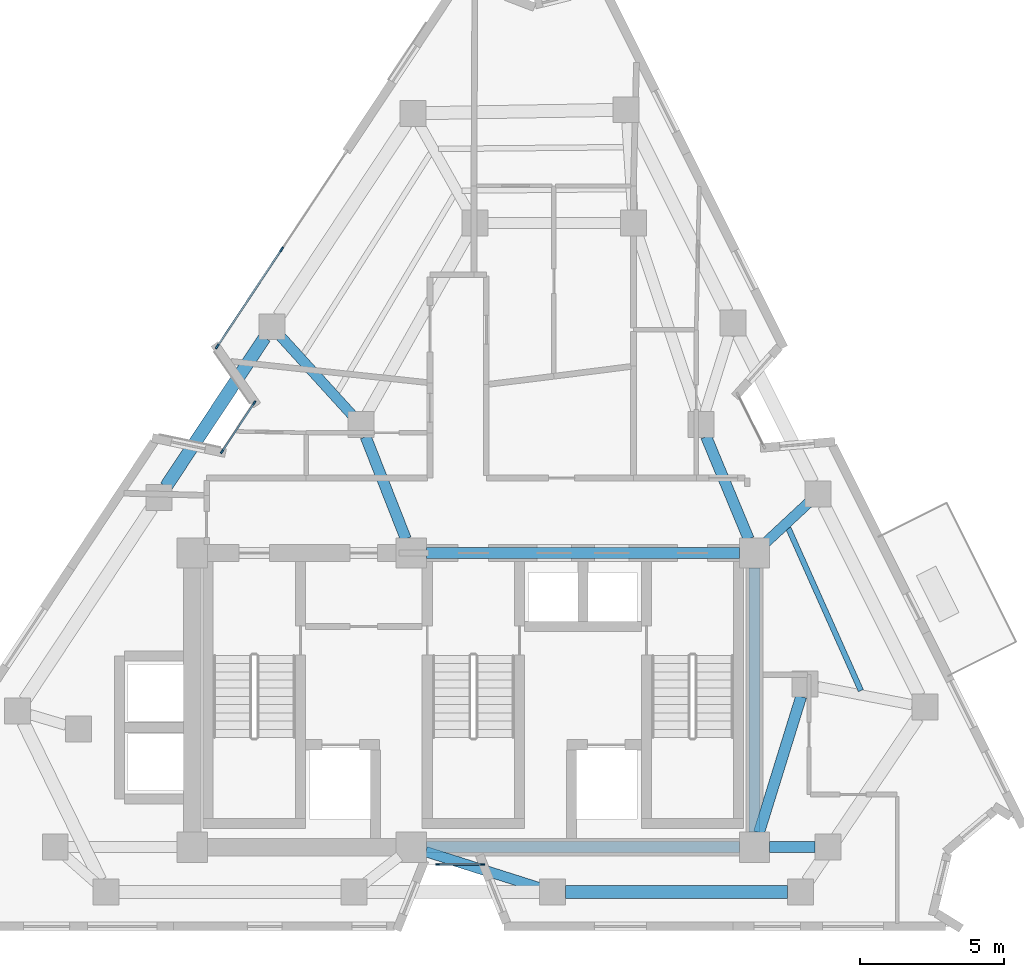
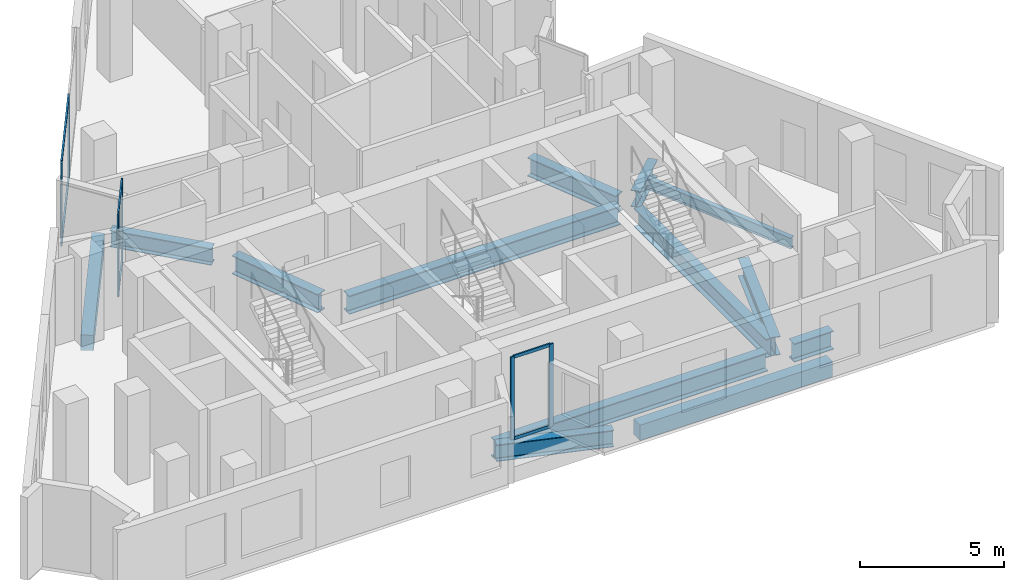
# One storey, part 2 of 9: 13 beams, 12 members, 3 elements without a shape of their own.
"""IFC4 building model written with IfcOpenShell, lengths in metres."""

import ifcopenshell
import ifcopenshell.guid

model = None  # the IFC model being written
_history = None  # IfcOwnerHistory: only IFC2X3 demands one
_inside = {}  # id of a spatial element -> (the spatial element, [elements in it])
_under = {}  # id of a project, library or spatial element -> (it, [spatial elements below it])
_declared = {}  # id of a project -> (the project, [libraries it declares])
_typed = {}  # id of a type object -> (the type object, [elements of that type])
_made_of = {}  # id of a material, layer set ... -> (it, [elements and type objects made of it])


def new_model(schema):
    """Start an empty IFC model of exactly this schema.

    Asked for "IFC4X3", IfcOpenShell would pick the latest addendum, in which some entities
    have other attributes; the version numbers below select the first issue.
    IFC2X3 requires an IfcOwnerHistory on every rooted entity: one is made here for all.
    """
    global model, _history
    if schema == "IFC4X3":
        model = ifcopenshell.file(schema_version=(4, 3, 0, 0))
    else:
        model = ifcopenshell.file(schema=schema)
    _inside.clear()
    _under.clear()
    _declared.clear()
    _typed.clear()
    _made_of.clear()
    _history = None
    if model.schema == "IFC2X3":
        org = make("IfcOrganization", Name="unknown")
        user = make(
            "IfcPersonAndOrganization",
            ThePerson=make("IfcPerson", FamilyName="unknown"),
            TheOrganization=org,
        )
        app = make(
            "IfcApplication",
            ApplicationDeveloper=org,
            Version="unknown",
            ApplicationFullName="unknown",
            ApplicationIdentifier="unknown",
        )
        _history = make(
            "IfcOwnerHistory",
            OwningUser=user,
            OwningApplication=app,
            ChangeAction="ADDED",
            CreationDate=0,
        )
    return model


def make(cls, **values):
    """One entity of the class cls with the attributes given. An attribute that is None is left unset."""
    return model.create_entity(
        cls, **{name: value for name, value in values.items() if value is not None}
    )


def rooted(cls, **values):
    """An entity with a GlobalId (a new one), such as an element, a storey or a relation."""
    return make(cls, GlobalId=ifcopenshell.guid.new(), OwnerHistory=_history, **values)


def si_unit(unit_type, name, prefix=None):
    """IfcSIUnit, for example si_unit("LENGTHUNIT", "METRE", prefix="MILLI")."""
    return make("IfcSIUnit", UnitType=unit_type, Prefix=prefix, Name=name)


def assignment(units):
    """IfcUnitAssignment: the units of a project."""
    return None if units is None else make("IfcUnitAssignment", Units=units)


def point(xyz):
    """IfcCartesianPoint."""
    return None if xyz is None else make("IfcCartesianPoint", Coordinates=xyz)


def direction(xyz):
    """IfcDirection."""
    return None if xyz is None else make("IfcDirection", DirectionRatios=xyz)


def frame(location, z_axis=None, x_axis=None):
    """IfcAxis2Placement3D, a coordinate frame: its origin and axes. An axis left out is left unset."""
    return make(
        "IfcAxis2Placement3D",
        Location=point(location),
        Axis=direction(z_axis),
        RefDirection=direction(x_axis),
    )


def frame_2d(location, x_axis=None):
    """IfcAxis2Placement2D, a coordinate frame in the plane: its origin and x axis."""
    return make(
        "IfcAxis2Placement2D", Location=point(location), RefDirection=direction(x_axis)
    )


def origin():
    """The frame at (0, 0, 0) with its axes left unset."""
    return frame((0.0, 0.0, 0.0))


def origin_2d():
    """The frame at (0, 0) in the plane with its x axis left unset."""
    return frame_2d((0.0, 0.0))


def place(relative_to, where):
    """IfcLocalPlacement: puts the frame where relative to a parent placement (None: the world)."""
    return make(
        "IfcLocalPlacement", PlacementRelTo=relative_to, RelativePlacement=where
    )


def context(
    kind, dimensions, precision=None, world=None, true_north=None, identifier=None
):
    """IfcGeometricRepresentationContext, for example the 3D "Model" context."""
    return make(
        "IfcGeometricRepresentationContext",
        ContextIdentifier=identifier,
        ContextType=kind,
        CoordinateSpaceDimension=dimensions,
        Precision=precision,
        WorldCoordinateSystem=world,
        TrueNorth=true_north,
    )


def subcontext(parent, identifier, kind, view, scale=None):
    """IfcGeometricRepresentationSubContext, for example "Body" below "Model"."""
    return make(
        "IfcGeometricRepresentationSubContext",
        ContextIdentifier=identifier,
        ContextType=kind,
        ParentContext=parent,
        TargetScale=scale,
        TargetView=view,
    )


def project(units=None, contexts=None):
    """IfcProject with its units and contexts."""
    return rooted(
        "IfcProject",
        Name="project",
        RepresentationContexts=contexts,
        UnitsInContext=assignment(units),
    )


def spatial(cls, under=None, at=None, **own):
    """A site, building, storey or space (cls), placed at a placement, below another one or the project."""
    s = rooted(cls, ObjectPlacement=at, **own)
    if under is not None:
        _under.setdefault(under.id(), (under, []))[1].append(s)
    return s


def profile(cls, at=None, kind="AREA", **sizes):
    """A parametric profile (cls). Its sizes go by their IFC names, for example OverallWidth=200.0."""
    return make(cls, ProfileType=kind, Position=at, **sizes)


def rectangle(**sizes):
    """IfcRectangleProfileDef."""
    return profile("IfcRectangleProfileDef", **sizes)


def i_section(**sizes):
    """IfcIShapeProfileDef."""
    return profile("IfcIShapeProfileDef", **sizes)


def extrude(swept, where, along, depth):
    """IfcExtrudedAreaSolid: the profile swept, set in the frame where, extruded along a direction by depth."""
    return make(
        "IfcExtrudedAreaSolid",
        SweptArea=swept,
        Position=where,
        ExtrudedDirection=direction(along),
        Depth=depth,
    )


def shape(context_of_items, identifier, shape_type, items):
    """IfcShapeRepresentation: the items that make up one representation, for example the "Body"."""
    return make(
        "IfcShapeRepresentation",
        ContextOfItems=context_of_items,
        RepresentationIdentifier=identifier,
        RepresentationType=shape_type,
        Items=items,
    )


def material(Name=None, Category=None):
    """IfcMaterial."""
    return make("IfcMaterial", Name=Name, Category=Category)


def layer(
    of_material, thickness, ventilated=None, Name=None, Category=None, Priority=None
):
    """IfcMaterialLayer: one layer of a wall or slab, of a material (None: an air gap)."""
    return make(
        "IfcMaterialLayer",
        Material=of_material,
        LayerThickness=thickness,
        IsVentilated=ventilated,
        Name=Name,
        Category=Category,
        Priority=Priority,
    )


def layer_set(layers, Name=None):
    """IfcMaterialLayerSet."""
    return make("IfcMaterialLayerSet", MaterialLayers=layers, LayerSetName=Name)


def material_profile(
    of_material, cross_section, Name=None, Category=None, Priority=None
):
    """IfcMaterialProfile: a cross section and its material."""
    return make(
        "IfcMaterialProfile",
        Name=Name,
        Material=of_material,
        Profile=cross_section,
        Priority=Priority,
        Category=Category,
    )


def profile_set(profiles, Name=None, composite=None):
    """IfcMaterialProfileSet."""
    return make(
        "IfcMaterialProfileSet",
        Name=Name,
        MaterialProfiles=profiles,
        CompositeProfile=composite,
    )


def made_of(thing, what):
    """Note that an element or type object is made of a material, layer set ...; save() writes the relation."""
    if what is not None:
        _made_of.setdefault(what.id(), (what, []))[1].append(thing)
    return thing


def type_object(cls, material=None, **own):
    """A type object (cls), such as IfcWallType, which elements share."""
    return made_of(rooted(cls, **own), material)


def element(
    cls,
    number,
    at=None,
    inside=None,
    cuts=None,
    type_object=None,
    material=None,
    context=None,
    identifier="Body",
    shape_type=None,
    held_by="IfcProductDefinitionShape",
    body=None,
    shapes=None,
    **own,
):
    """One element of the class cls, such as IfcWall. Its Tag is "e" and its number.

    at: its placement. inside: the storey or other place that contains it. cuts: it is an
    opening in that element (IfcRelVoidsElement). A single representation is given by context,
    identifier, shape_type and body (its items); several are given by shapes. held_by: the class
    of the entity that holds the representations. save() writes the other relations.
    """
    e = rooted(cls, Tag="e%d" % number, ObjectPlacement=at, **own)
    if body is not None:
        shapes = [shape(context, identifier, shape_type, body)]
    if shapes is not None:
        e.Representation = make(held_by, Representations=shapes)
    if inside is not None:
        _inside.setdefault(inside.id(), (inside, []))[1].append(e)
    if cuts is not None:
        rooted(
            "IfcRelVoidsElement", RelatingBuildingElement=cuts, RelatedOpeningElement=e
        )
    if type_object is not None:
        _typed.setdefault(type_object.id(), (type_object, []))[1].append(e)
    return made_of(e, material)


def aggregate(whole, parts):
    """IfcRelAggregates: a whole, such as a stair, and the parts it consists of."""
    return rooted("IfcRelAggregates", RelatingObject=whole, RelatedObjects=parts)


def save(model, path):
    """Write the relations noted so far, then the file.

    IfcRelAggregates (storeys below a building ...), IfcRelContainedInSpatialStructure (elements
    in a storey), IfcRelDefinesByType, IfcRelAssociatesMaterial and IfcRelDeclares: one each for
    every whole, place, type object, material and project.
    """
    for whole, parts in _under.values():
        aggregate(whole, parts)
    for where, things in _inside.values():
        rooted(
            "IfcRelContainedInSpatialStructure",
            RelatedElements=things,
            RelatingStructure=where,
        )
    for kind, things in _typed.values():
        rooted("IfcRelDefinesByType", RelatedObjects=things, RelatingType=kind)
    for what, things in _made_of.values():
        rooted("IfcRelAssociatesMaterial", RelatedObjects=things, RelatingMaterial=what)
    for by, libraries in _declared.values():
        rooted("IfcRelDeclares", RelatingContext=by, RelatedDefinitions=libraries)
    model.write(path)


model = new_model("IFC4")

# Units and contexts
model_context = context("Model", 3, precision=1e-05, world=origin(), true_north=direction((0.0, 1.0)))
body_context = subcontext(model_context, "Body", "Model", "MODEL_VIEW")
ifc_project = project(units=[si_unit("LENGTHUNIT", "METRE"), si_unit("AREAUNIT", "SQUARE_METRE"), si_unit("VOLUMEUNIT", "CUBIC_METRE"), si_unit("PLANEANGLEUNIT", "RADIAN"), si_unit("MASSUNIT", "GRAM", prefix="KILO")], contexts=[model_context])

# Site, building, storey
site_placement = place(None, origin())
site = spatial("IfcSite", under=ifc_project, at=site_placement, CompositionType="ELEMENT")
building_placement = place(site_placement, origin())
building = spatial("IfcBuilding", under=site, at=building_placement, Name="Almagre Mirador Tower", CompositionType="ELEMENT")
storey_placement = place(building_placement, frame((0.0, 0.0, 259.5)))
storey = spatial("IfcBuildingStorey", under=building, at=storey_placement, Name="L67", CompositionType="ELEMENT", Elevation=259.5)

# Beams
ifc_material_1 = material(Name="Steel ASTM A992 Grade 50", Category="steel")
ifc_material_profile_1 = material_profile(ifc_material_1, i_section(OverallWidth=0.19091796875, OverallDepth=0.4599609375, WebThickness=0.010009765625, FlangeThickness=0.01611328125, FilletRadius=0.01611328125, at=origin_2d()), Name="W18X55")
ifc_profile_set_1 = profile_set([ifc_material_profile_1], Name="Steel ASTM A992 Grade 50")
beam_type_1 = type_object("IfcBeamType", Name="BM-JST-W18X55", PredefinedType="JOIST", material=ifc_profile_set_1)
beam_1_placement = place(storey_placement, frame((50.739990234375, 9.9775390625, -0.47998046875), z_axis=(-0.407786353959, 0.913077373241, 0.0), x_axis=(-0.913077373241, -0.407786353959, 0.0)))
element("IfcBeam", 1, at=beam_1_placement, inside=storey, type_object=beam_type_1, Name="L67 secondary floor joist PC05-PC06.2", PredefinedType="JOIST", context=body_context, shape_type="SweptSolid", body=[
    extrude(i_section(OverallWidth=0.19091796875, OverallDepth=0.4599609375, WebThickness=0.010009765625, FlangeThickness=0.01611328125, FilletRadius=0.01611328125, at=origin_2d()), origin(), (0.0, 0.0, 1.0), 6.169677734375),
])
ifc_material_2 = material(Name="Precast concrete C50/60", Category="concrete")
ifc_material_profile_2 = material_profile(ifc_material_2, rectangle(XDim=0.449951171875, YDim=0.64990234375, at=origin_2d()), Name="RC450X650")
ifc_profile_set_2 = profile_set([ifc_material_profile_2], Name="Precast concrete C50/60")
beam_type_2 = type_object("IfcBeamType", Name="BM-SPN-RC450X650", PredefinedType="SPANDREL", material=ifc_profile_set_2)
beam_2_placement = place(storey_placement, frame((40.489990234375, 3.0, -0.574951171875), z_axis=(1.0, 0.0, 0.0), x_axis=(0.0, 1.0, 0.0)))
element("IfcBeam", 2, at=beam_2_placement, inside=storey, type_object=beam_type_2, Name="L67 perimeter spandrel beam PC03-PC04", PredefinedType="SPANDREL", context=body_context, shape_type="SweptSolid", body=[
    extrude(rectangle(XDim=0.449951171875, YDim=0.64990234375, at=origin_2d()), origin(), (0.0, 0.0, 1.0), 7.699951171875),
])
beam_3_placement = place(storey_placement, frame((30.0625, 22.2216796875, -0.574951171875), z_axis=(-0.552107701179, -0.833772802566, 0.0), x_axis=(0.833772802566, -0.552107701179, 0.0)))
element("IfcBeam", 3, at=beam_3_placement, inside=storey, type_object=beam_type_2, Name="L67 perimeter spandrel beam PC10-PC11", PredefinedType="SPANDREL", context=body_context, shape_type="SweptSolid", body=[
    extrude(rectangle(XDim=0.449951171875, YDim=0.64990234375, at=origin_2d()), origin(), (0.0, 0.0, 1.0), 6.199951171875),
])
ifc_material_3 = material(Name="Steel ASTM A992 Grade 50", Category="steel")
ifc_material_profile_3 = material_profile(ifc_material_3, i_section(OverallWidth=0.35791015625, OverallDepth=0.7060546875, WebThickness=0.018310546875, FlangeThickness=0.0302734375, FilletRadius=0.02197265625, at=origin_2d()), Name="W27X178")
ifc_profile_set_3 = profile_set([ifc_material_profile_3], Name="Steel ASTM A992 Grade 50")
beam_type_3 = type_object("IfcBeamType", Name="BM-STL-W27X178", PredefinedType="BEAM", material=ifc_profile_set_3)
beam_4_placement = place(storey_placement, frame((39.611083984375, 3.135986328125, -0.60302734375), z_axis=(-0.953262426314, 0.302143586027, 0.0), x_axis=(-0.302143586027, -0.953262426314, 0.0)))
element("IfcBeam", 4, at=beam_4_placement, inside=storey, type_object=beam_type_3, Name="L67 radial floor girder PC03-CC2", PredefinedType="BEAM", context=body_context, shape_type="SweptSolid", body=[
    extrude(i_section(OverallWidth=0.35791015625, OverallDepth=0.7060546875, WebThickness=0.018310546875, FlangeThickness=0.0302734375, FilletRadius=0.02197265625, at=origin_2d()), origin(), (0.0, 0.0, 1.0), 4.15478515625),
])
beam_5_placement = place(storey_placement, frame((48.927490234375, 16.49658203125, -0.60302734375), z_axis=(-0.732204787824, -0.681084538576, 0.0), x_axis=(0.681084538576, -0.732204787824, 0.0)))
element("IfcBeam", 5, at=beam_5_placement, inside=storey, type_object=beam_type_3, Name="L67 radial floor girder PC06-CC6", PredefinedType="BEAM", context=body_context, shape_type="SweptSolid", body=[
    extrude(i_section(OverallWidth=0.35791015625, OverallDepth=0.7060546875, WebThickness=0.018310546875, FlangeThickness=0.0302734375, FilletRadius=0.02197265625, at=origin_2d()), origin(), (0.0, 0.0, 1.0), 2.039306640625),
])
beam_6_placement = place(storey_placement, frame((30.61376953125, 22.26416015625, -0.60302734375), z_axis=(0.672781414124, -0.739841313262, 0.0), x_axis=(0.739841313262, 0.672781414124, 0.0)))
element("IfcBeam", 6, at=beam_6_placement, inside=storey, type_object=beam_type_3, Name="L67 radial floor girder PC10-MC8", PredefinedType="BEAM", context=body_context, shape_type="SweptSolid", body=[
    extrude(i_section(OverallWidth=0.35791015625, OverallDepth=0.7060546875, WebThickness=0.018310546875, FlangeThickness=0.0302734375, FilletRadius=0.02197265625, at=origin_2d()), origin(), (0.0, 0.0, 1.0), 3.691650390625),
])
ifc_material_4 = material(Name="Steel ASTM A992 Grade 50", Category="steel")
ifc_material_profile_4 = material_profile(ifc_material_4, i_section(OverallWidth=0.384033203125, OverallDepth=0.784912109375, WebThickness=0.019775390625, FlangeThickness=0.033447265625, FilletRadius=0.02392578125, at=origin_2d()), Name="W30X211")
ifc_profile_set_4 = profile_set([ifc_material_profile_4], Name="Steel ASTM A992 Grade 50")
beam_type_4 = type_object("IfcBeamType", Name="BM-STL-W30X211", PredefinedType="BEAM", material=ifc_profile_set_4)
for number, where, z_axis, x_axis, name in (
    (7, (35.675048828125, 4.550048828125, -0.642578125), (1.0, 0.0, 0.0), (0.0, 1.0, 0.0), "L67 core tie girder CC2-CC3"),
    (8, (35.675048828125, 14.75, -0.642578125), (1.0, 0.0, 0.0), (0.0, 1.0, 0.0), "L67 core tie girder CC5-CC6"),
):
    element("IfcBeam", number, at=place(storey_placement, frame(where, z_axis=z_axis, x_axis=x_axis)), inside=storey, type_object=beam_type_4, Name=name, PredefinedType="BEAM", context=body_context, shape_type="SweptSolid", body=[
        extrude(i_section(OverallWidth=0.384033203125, OverallDepth=0.784912109375, WebThickness=0.019775390625, FlangeThickness=0.033447265625, FilletRadius=0.02392578125, at=origin_2d()), origin(), (0.0, 0.0, 1.0), 10.849853515625),
    ])
beam_7_placement = place(storey_placement, frame((47.050048828125, 5.074951171875, -0.642578125), z_axis=(0.0, 1.0, 0.0), x_axis=(-1.0, 0.0, 0.0)))
element("IfcBeam", 9, at=beam_7_placement, inside=storey, type_object=beam_type_4, Name="L67 core tie girder CC3-CC6", PredefinedType="BEAM", context=body_context, shape_type="SweptSolid", body=[
    extrude(i_section(OverallWidth=0.384033203125, OverallDepth=0.784912109375, WebThickness=0.019775390625, FlangeThickness=0.033447265625, FilletRadius=0.02392578125, at=origin_2d()), origin(), (0.0, 0.0, 1.0), 9.150146484375),
])
beam_8_placement = place(storey_placement, frame((49.14990234375, 4.550048828125, -0.642578125), z_axis=(-1.0, 0.0, 0.0), x_axis=(0.0, -1.0, 0.0)))
element("IfcBeam", 10, at=beam_8_placement, inside=storey, type_object=beam_type_4, Name="L67 core tie girder MC2-CC3", PredefinedType="BEAM", context=body_context, shape_type="SweptSolid", body=[
    extrude(i_section(OverallWidth=0.384033203125, OverallDepth=0.784912109375, WebThickness=0.019775390625, FlangeThickness=0.033447265625, FilletRadius=0.02392578125, at=origin_2d()), origin(), (0.0, 0.0, 1.0), 1.574951171875),
])
beam_9_placement = place(storey_placement, frame((48.6669921875, 9.77001953125, -0.642578125), z_axis=(-0.295901717967, -0.955218390372, 0.0), x_axis=(0.955218390372, -0.295901717967, 0.0)))
element("IfcBeam", 11, at=beam_9_placement, inside=storey, type_object=beam_type_4, Name="L67 core tie girder MC3-CC3", PredefinedType="BEAM", context=body_context, shape_type="SweptSolid", body=[
    extrude(i_section(OverallWidth=0.384033203125, OverallDepth=0.784912109375, WebThickness=0.019775390625, FlangeThickness=0.033447265625, FilletRadius=0.02392578125, at=origin_2d()), origin(), (0.0, 0.0, 1.0), 4.939697265625),
])
beam_10_placement = place(storey_placement, frame((45.372802734375, 18.784423828125, -0.642578125), z_axis=(0.383862140668, -0.923390414159, 0.0), x_axis=(0.923390414159, 0.383862140668, 0.0)))
element("IfcBeam", 12, at=beam_10_placement, inside=storey, type_object=beam_type_4, Name="L67 core tie girder MC5-CC6", PredefinedType="BEAM", context=body_context, shape_type="SweptSolid", body=[
    extrude(i_section(OverallWidth=0.384033203125, OverallDepth=0.784912109375, WebThickness=0.019775390625, FlangeThickness=0.033447265625, FilletRadius=0.02392578125, at=origin_2d()), origin(), (0.0, 0.0, 1.0), 3.843994140625),
])
beam_11_placement = place(storey_placement, frame((33.564697265625, 18.78125, -0.642578125), z_axis=(0.365999579355, -0.93061501595, 0.0), x_axis=(0.93061501595, 0.365999579355, 0.0)))
element("IfcBeam", 13, at=beam_11_placement, inside=storey, type_object=beam_type_4, Name="L67 core tie girder MC8-CC5", PredefinedType="BEAM", context=body_context, shape_type="SweptSolid", body=[
    extrude(i_section(OverallWidth=0.384033203125, OverallDepth=0.784912109375, WebThickness=0.019775390625, FlangeThickness=0.033447265625, FilletRadius=0.02392578125, at=origin_2d()), origin(), (0.0, 0.0, 1.0), 3.806884765625),
])

# Curtain wall, members
ifc_material_5 = material(Name="Black anodized aluminium", Category="aluminium")
ifc_layer_1 = layer(ifc_material_5, 0.169921875)
ifc_layer_set_1 = layer_set([ifc_layer_1], Name="Black anodized aluminium")
curtain_wall_type_1 = type_object("IfcCurtainWallType", Name="CW-CRS-SYS", PredefinedType="NOTDEFINED", material=ifc_layer_set_1)
curtain_wall_1_placement = place(storey_placement, origin())
curtain_wall_1 = element("IfcCurtainWall", 14, at=curtain_wall_1_placement, inside=storey, type_object=curtain_wall_type_1, Name="L67 vertical crease curtain wall 01", PredefinedType="NOTDEFINED")
ifc_material_6 = material(Name="Black anodized aluminium", Category="aluminium")
ifc_material_profile_5 = material_profile(ifc_material_6, rectangle(XDim=0.06005859375, YDim=0.14990234375, at=origin_2d()), Name="CWM60X150")
ifc_profile_set_5 = profile_set([ifc_material_profile_5], Name="Black anodized aluminium")
member_type_1 = type_object("IfcMemberType", Name="MBR-CWM60X150", PredefinedType="MULLION", material=ifc_profile_set_5)
member_1_placement = place(storey_placement, frame((28.58251953125, 18.26708984375, 0.0), z_axis=(0.0, 0.0, 1.0), x_axis=(-0.833666517607, 0.552268175274, 0.0)))
member_1 = element("IfcMember", 15, at=member_1_placement, type_object=member_type_1, Name="CW-4 mullion 1", PredefinedType="MULLION", context=body_context, shape_type="SweptSolid", body=[
    extrude(rectangle(XDim=0.06005859375, YDim=0.14990234375, at=origin_2d()), origin(), (0.0, 0.0, 1.0), 3.5),
])
member_2_placement = place(storey_placement, frame((29.703369140625, 19.958984375, 0.0), z_axis=(0.0, 0.0, 1.0), x_axis=(-0.833666517607, 0.552268175274, 0.0)))
member_2 = element("IfcMember", 16, at=member_2_placement, type_object=member_type_1, Name="CW-4 mullion 2", PredefinedType="MULLION", context=body_context, shape_type="SweptSolid", body=[
    extrude(rectangle(XDim=0.06005859375, YDim=0.14990234375, at=origin_2d()), origin(), (0.0, 0.0, 1.0), 3.5),
])

curtain_wall_2_placement = place(storey_placement, origin())
curtain_wall_2 = element("IfcCurtainWall", 17, at=curtain_wall_2_placement, inside=storey, type_object=curtain_wall_type_1, Name="L67 vertical crease curtain wall 04", PredefinedType="NOTDEFINED")
member_3_placement = place(storey_placement, frame((37.614990234375, 3.949951171875, 0.0), z_axis=(0.0, 0.0, 1.0), x_axis=(0.0, -1.0, 0.0)))
member_3 = element("IfcMember", 18, at=member_3_placement, type_object=member_type_1, Name="CW-4 mullion 1", PredefinedType="MULLION", context=body_context, shape_type="SweptSolid", body=[
    extrude(rectangle(XDim=0.06005859375, YDim=0.14990234375, at=origin_2d()), origin(), (0.0, 0.0, 1.0), 3.5),
])
member_4_placement = place(storey_placement, frame((36.06494140625, 3.949951171875, 0.0), z_axis=(0.0, 0.0, 1.0), x_axis=(0.0, -1.0, 0.0)))
member_4 = element("IfcMember", 19, at=member_4_placement, type_object=member_type_1, Name="CW-4 mullion 2", PredefinedType="MULLION", context=body_context, shape_type="SweptSolid", body=[
    extrude(rectangle(XDim=0.06005859375, YDim=0.14990234375, at=origin_2d()), origin(), (0.0, 0.0, 1.0), 3.5),
])

ifc_material_7 = material(Name="Black anodized aluminium", Category="aluminium")
ifc_layer_2 = layer(ifc_material_7, 0.199951171875)
ifc_layer_set_2 = layer_set([ifc_layer_2], Name="Black anodized aluminium")
curtain_wall_type_2 = type_object("IfcCurtainWallType", Name="CW-RES-H-SYS", PredefinedType="NOTDEFINED", material=ifc_layer_set_2)
curtain_wall_3_placement = place(storey_placement, origin())
curtain_wall_3 = element("IfcCurtainWall", 20, at=curtain_wall_3_placement, inside=storey, type_object=curtain_wall_type_2, Name="L67 curtain wall run 02", PredefinedType="NOTDEFINED")
ifc_material_8 = material(Name="Black anodized aluminium", Category="aluminium")
ifc_material_profile_6 = material_profile(ifc_material_8, rectangle(XDim=0.06494140625, YDim=0.179931640625, at=origin_2d()), Name="CWM65X180")
ifc_profile_set_6 = profile_set([ifc_material_profile_6], Name="Black anodized aluminium")
member_type_2 = type_object("IfcMemberType", Name="MBR-CWM65X180", PredefinedType="MULLION", material=ifc_profile_set_6)
member_5_placement = place(storey_placement, frame((28.4169921875, 21.9111328125, 0.0), z_axis=(0.0, 0.0, 1.0), x_axis=(-0.833774696513, 0.552104840999, 0.0)))
member_5 = element("IfcMember", 21, at=member_5_placement, type_object=member_type_2, Name="CW-3 mullion 1", PredefinedType="MULLION", context=body_context, shape_type="SweptSolid", body=[
    extrude(rectangle(XDim=0.06494140625, YDim=0.179931640625, at=origin_2d()), origin(), (0.0, 0.0, 1.0), 3.5),
])
member_6_placement = place(storey_placement, frame((30.647216796875, 25.279296875, 0.0), z_axis=(0.0, 0.0, 1.0), x_axis=(-0.833774696513, 0.552104840999, 0.0)))
member_6 = element("IfcMember", 22, at=member_6_placement, type_object=member_type_2, Name="CW-3 mullion 2", PredefinedType="MULLION", context=body_context, shape_type="SweptSolid", body=[
    extrude(rectangle(XDim=0.06494140625, YDim=0.179931640625, at=origin_2d()), origin(), (0.0, 0.0, 1.0), 3.5),
])

# Member
ifc_material_9 = material(Name="Black anodized aluminium", Category="aluminium")
ifc_material_profile_7 = material_profile(ifc_material_9, rectangle(XDim=0.06005859375, YDim=0.1298828125, at=origin_2d()), Name="CWT60X130")
ifc_profile_set_7 = profile_set([ifc_material_profile_7], Name="Black anodized aluminium")
member_type_3 = type_object("IfcMemberType", Name="MBR-CWT60X130", PredefinedType="USERDEFINED", material=ifc_profile_set_7)
member_7_placement = place(storey_placement, frame((28.59912109375, 18.2919921875, 0.030029296875), z_axis=(0.552209127031, 0.833705631517, 0.0), x_axis=(-0.833705631517, 0.552209127031, 0.0)))
member_7 = element("IfcMember", 23, at=member_7_placement, type_object=member_type_3, Name="CW-4 transom 1.1", ObjectType="TRANSOM", PredefinedType="USERDEFINED", context=body_context, shape_type="SweptSolid", body=[
    extrude(rectangle(XDim=0.06005859375, YDim=0.1298828125, at=origin_2d()), origin(), (0.0, 0.0, 1.0), 1.9697265625),
])

member_8_placement = place(storey_placement, frame((28.59912109375, 18.2919921875, 3.469970703125), z_axis=(0.552209127031, 0.833705631517, 0.0), x_axis=(-0.833705631517, 0.552209127031, 0.0)))
member_8 = element("IfcMember", 24, at=member_8_placement, type_object=member_type_3, Name="CW-4 transom 1.2", ObjectType="TRANSOM", PredefinedType="USERDEFINED", context=body_context, shape_type="SweptSolid", body=[
    extrude(rectangle(XDim=0.06005859375, YDim=0.1298828125, at=origin_2d()), origin(), (0.0, 0.0, 1.0), 1.9697265625),
])

aggregate(curtain_wall_1, [member_1, member_2, member_7, member_8])

member_9_placement = place(storey_placement, frame((37.5849609375, 3.949951171875, 0.030029296875), z_axis=(-1.0, 0.0, 0.0), x_axis=(0.0, -1.0, 0.0)))
member_9 = element("IfcMember", 25, at=member_9_placement, type_object=member_type_3, Name="CW-4 transom 1.1", ObjectType="TRANSOM", PredefinedType="USERDEFINED", context=body_context, shape_type="SweptSolid", body=[
    extrude(rectangle(XDim=0.06005859375, YDim=0.1298828125, at=origin_2d()), origin(), (0.0, 0.0, 1.0), 1.489990234375),
])

member_10_placement = place(storey_placement, frame((37.5849609375, 3.949951171875, 3.469970703125), z_axis=(-1.0, 0.0, 0.0), x_axis=(0.0, -1.0, 0.0)))
member_10 = element("IfcMember", 26, at=member_10_placement, type_object=member_type_3, Name="CW-4 transom 1.2", ObjectType="TRANSOM", PredefinedType="USERDEFINED", context=body_context, shape_type="SweptSolid", body=[
    extrude(rectangle(XDim=0.06005859375, YDim=0.1298828125, at=origin_2d()), origin(), (0.0, 0.0, 1.0), 1.489990234375),
])

aggregate(curtain_wall_2, [member_3, member_4, member_9, member_10])

ifc_material_10 = material(Name="Black anodized aluminium", Category="aluminium")
ifc_material_profile_8 = material_profile(ifc_material_10, rectangle(XDim=0.06494140625, YDim=0.14990234375, at=origin_2d()), Name="CWT65X150")
ifc_profile_set_8 = profile_set([ifc_material_profile_8], Name="Black anodized aluminium")
member_type_4 = type_object("IfcMemberType", Name="MBR-CWT65X150", PredefinedType="USERDEFINED", material=ifc_profile_set_8)
member_11_placement = place(storey_placement, frame((28.434814453125, 21.938232421875, 0.032470703125), z_axis=(0.552131964916, 0.833756735096, 0.0), x_axis=(-0.833756735096, 0.552131964916, 0.0)))
member_11 = element("IfcMember", 27, at=member_11_placement, type_object=member_type_4, Name="CW-3 transom 1.1", ObjectType="TRANSOM", PredefinedType="USERDEFINED", context=body_context, shape_type="SweptSolid", body=[
    extrude(rectangle(XDim=0.06494140625, YDim=0.14990234375, at=origin_2d()), origin(), (0.0, 0.0, 1.0), 3.974853515625),
])

member_12_placement = place(storey_placement, frame((28.434814453125, 21.938232421875, 3.467529296875), z_axis=(0.552131964916, 0.833756735096, 0.0), x_axis=(-0.833756735096, 0.552131964916, 0.0)))
member_12 = element("IfcMember", 28, at=member_12_placement, type_object=member_type_4, Name="CW-3 transom 1.2", ObjectType="TRANSOM", PredefinedType="USERDEFINED", context=body_context, shape_type="SweptSolid", body=[
    extrude(rectangle(XDim=0.06494140625, YDim=0.14990234375, at=origin_2d()), origin(), (0.0, 0.0, 1.0), 3.974853515625),
])

aggregate(curtain_wall_3, [member_5, member_6, member_11, member_12])

save(model, "model.ifc")
